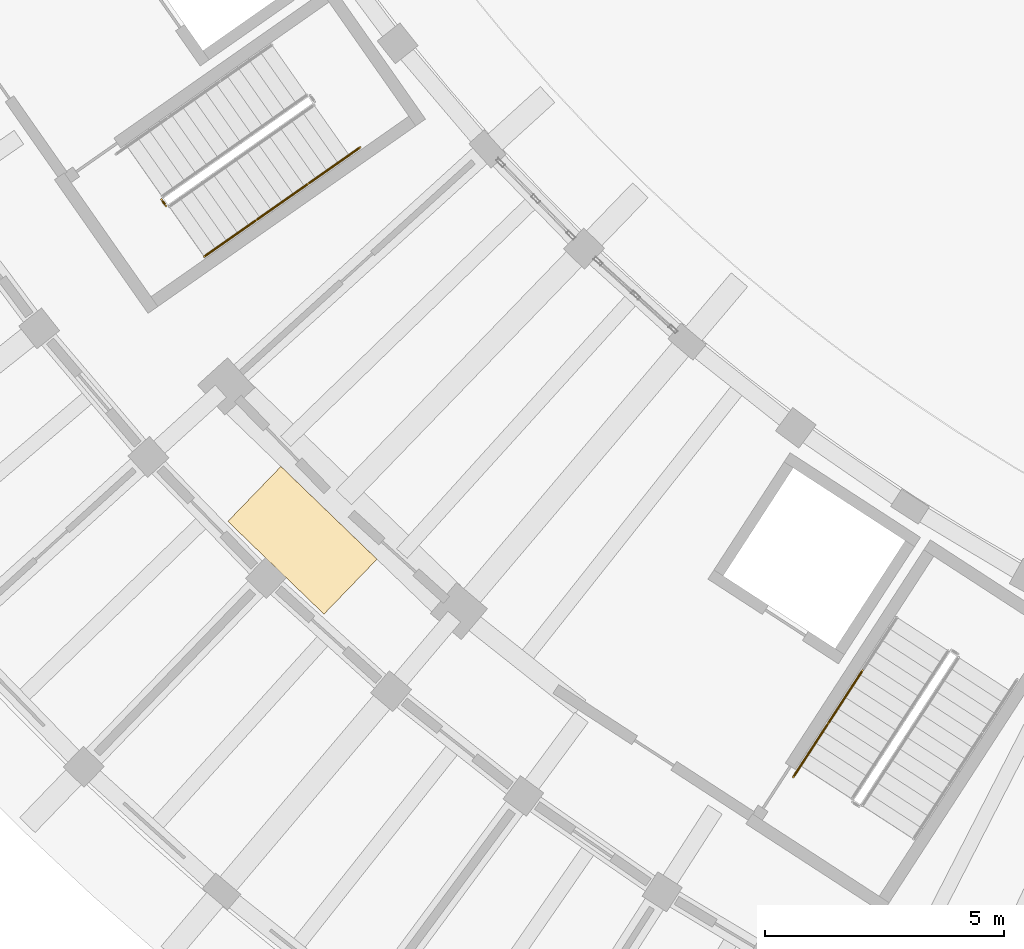
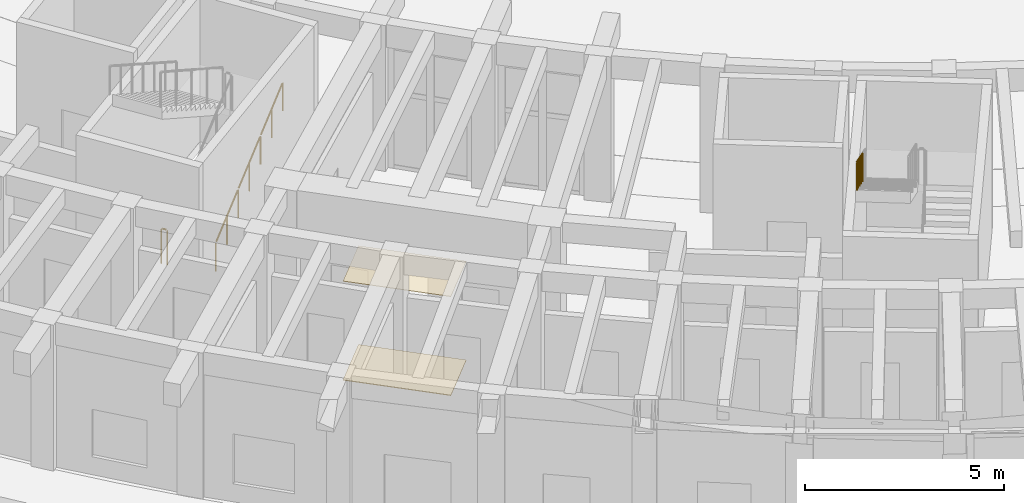
# One storey, part 111 of 132: 6 railings, 2 coverings.
"""IFC4 building model written with IfcOpenShell, lengths in metres."""

from ifc_helpers import new_model, si_unit, direction, frame, origin, origin_2d, place, context, subcontext, project, spatial, rectangle, circle, extrude, material, layer, layer_set, type_object, element, save


model = new_model("IFC4")

# Units and contexts
model_context = context("Model", 3, precision=1e-05, world=origin(), true_north=direction((0.0, 1.0)))
body_context = subcontext(model_context, "Body", "Model", "MODEL_VIEW")
ifc_project = project(units=[si_unit("LENGTHUNIT", "METRE"), si_unit("AREAUNIT", "SQUARE_METRE"), si_unit("VOLUMEUNIT", "CUBIC_METRE"), si_unit("PLANEANGLEUNIT", "RADIAN"), si_unit("MASSUNIT", "GRAM", prefix="KILO")], contexts=[model_context])

# Site, building, storey
site_placement = place(None, origin())
site = spatial("IfcSite", under=ifc_project, at=site_placement, CompositionType="ELEMENT")
building_placement = place(site_placement, origin())
building = spatial("IfcBuilding", under=site, at=building_placement, Name="Tanwirah Colonnade Gardens", CompositionType="ELEMENT")
storey_placement = place(building_placement, origin())
storey = spatial("IfcBuildingStorey", under=building, at=storey_placement, Name="L00", CompositionType="ELEMENT", Elevation=0.0)

# Coverings
ifc_material_1 = material(Name="Acoustic perforated gypsum ceiling board")
ifc_layer_1 = layer(ifc_material_1, 0.014892578125)
ifc_layer_set_1 = layer_set([ifc_layer_1], Name="Acoustic perforated gypsum ceiling board")
covering_type_1 = type_object("IfcCoveringType", Name="COV-CEIL15", PredefinedType="CEILING", material=ifc_layer_set_1)
covering_1_placement = place(storey_placement, frame((28.2177734375, 26.410888671875, 3.04248046875), z_axis=(0.0, 0.0, 1.0), x_axis=(0.719339800339, -0.694658370459, 0.0)))
element("IfcCovering", 1, at=covering_1_placement, inside=storey, type_object=covering_type_1, Name="Block C L00 Corridor Acoustic Ceiling", PredefinedType="CEILING", context=body_context, shape_type="SweptSolid", body=[
    extrude(rectangle(XDim=2.800048828125, YDim=1.60009765625, at=origin_2d()), origin(), (0.0, 0.0, 1.0), 0.014892578125),
])
ifc_material_2 = material(Name="Honed Abu Dhabi limestone terrazzo flooring", Category="masonry")
ifc_layer_2 = layer(ifc_material_2, 0.02001953125)
ifc_layer_set_2 = layer_set([ifc_layer_2], Name="Honed Abu Dhabi limestone terrazzo flooring")
covering_type_2 = type_object("IfcCoveringType", Name="COV-FLR20", PredefinedType="FLOORING", material=ifc_layer_set_2)
covering_2_placement = place(storey_placement, frame((28.2177734375, 26.410888671875, 0.0), z_axis=(0.0, 0.0, 1.0), x_axis=(0.719339800339, -0.694658370459, 0.0)))
element("IfcCovering", 2, at=covering_2_placement, inside=storey, type_object=covering_type_2, Name="Block C L00 Corridor Terrazzo Flooring", PredefinedType="FLOORING", context=body_context, shape_type="SweptSolid", body=[
    extrude(rectangle(XDim=2.800048828125, YDim=1.60009765625, at=origin_2d()), origin(), (0.0, 0.0, 1.0), 0.02001953125),
])

# Railings
ifc_material_3 = material(Name="Powder-coated galvanized steel", Category="steel")
railing_type_1 = type_object("IfcRailingType", Name="GRD-ST110", PredefinedType="GUARDRAIL", material=ifc_material_3)
railing_1_placement = place(storey_placement, frame((25.356689453125, 33.4208984375, 0.0)))
element("IfcRailing", 3, at=railing_1_placement, inside=storey, type_object=railing_type_1, Name="L00 ST-C1 stair guard 4", PredefinedType="GUARDRAIL", context=body_context, shape_type="SweptSolid", body=[
    extrude(circle(Radius=0.02392578125, at=origin_2d()), frame((-0.017822265625, 0.025634765625, 1.076171875), z_axis=(-0.57356471828, 0.819160249246, 0.0), x_axis=(-0.819160249246, -0.57356471828, 0.0)), (0.0, 0.0, 1.0), 0.097412109375),
    extrude(circle(Radius=0.02099609375, at=origin_2d()), origin(), (0.0, 0.0, 1.0), 1.049072265625),
    extrude(circle(Radius=0.02099609375, at=origin_2d()), frame((-0.091796875, 0.131103515625, 0.0)), (0.0, 0.0, 1.0), 1.049072265625),
])
ifc_material_4 = material(Name="Brushed bronze stainless steel", Category="steel")
railing_type_2 = type_object("IfcRailingType", Name="HR-ST090", PredefinedType="HANDRAIL", material=ifc_material_4)
railing_2_placement = place(storey_placement, frame((26.16064453125, 32.360107421875, 0.169921875)))
element("IfcRailing", 4, at=railing_2_placement, inside=storey, type_object=railing_type_2, Name="L00 ST-C1 stair handrail 1", PredefinedType="HANDRAIL", context=body_context, shape_type="SweptSolid", body=[
    extrude(circle(Radius=0.02392578125, at=origin_2d()), frame((0.02197265625, 0.015380859375, 0.891845703125), z_axis=(0.702053737774, 0.491689361395, 0.515133110146), x_axis=(-0.57365945101, 0.81909391053, 0.0)), (0.0, 0.0, 1.0), 1.4892578125),
    extrude(circle(Radius=0.02099609375, at=origin_2d()), origin(), (0.0, 0.0, 1.0), 0.848876953125),
    extrude(circle(Radius=0.02099609375, at=origin_2d()), frame((0.544677734375, 0.38134765625, 0.399658203125)), (0.0, 0.0, 1.0), 0.848876953125),
    extrude(circle(Radius=0.02099609375, at=origin_2d()), frame((1.08935546875, 0.762939453125, 0.79931640625)), (0.0, 0.0, 1.0), 0.848876953125),
])
railing_3_placement = place(storey_placement, frame((27.25, 33.123046875, 0.96923828125)))
element("IfcRailing", 5, at=railing_3_placement, inside=storey, type_object=railing_type_2, Name="L00 ST-C1 stair handrail 2", PredefinedType="HANDRAIL", context=body_context, shape_type="SweptSolid", body=[
    extrude(circle(Radius=0.02392578125, at=origin_2d()), frame((0.02197265625, 0.015380859375, 0.891845703125), z_axis=(0.702133515204, 0.491635051538, 0.515076210795), x_axis=(-0.573573204268, 0.819154307408, 0.0)), (0.0, 0.0, 1.0), 1.4892578125),
    extrude(circle(Radius=0.02099609375, at=origin_2d()), origin(), (0.0, 0.0, 1.0), 0.848876953125),
    extrude(circle(Radius=0.02099609375, at=origin_2d()), frame((0.544921875, 0.38134765625, 0.399658203125)), (0.0, 0.0, 1.0), 0.848876953125),
    extrude(circle(Radius=0.02099609375, at=origin_2d()), frame((1.089599609375, 0.762939453125, 0.79931640625)), (0.0, 0.0, 1.0), 0.848876953125),
])
railing_4_placement = place(storey_placement, frame((28.339599609375, 33.885986328125, 1.7685546875)))
element("IfcRailing", 6, at=railing_4_placement, inside=storey, type_object=railing_type_2, Name="L00 ST-C1 stair handrail 3", PredefinedType="HANDRAIL", context=body_context, shape_type="SweptSolid", body=[
    extrude(circle(Radius=0.02392578125, at=origin_2d()), frame((0.02197265625, 0.015380859375, 0.891845703125), z_axis=(0.702051130775, 0.49153019555, 0.515288537268), x_axis=(-0.573536271031, 0.819180166882, 0.0)), (0.0, 0.0, 1.0), 1.4892578125),
    extrude(circle(Radius=0.02099609375, at=origin_2d()), origin(), (0.0, 0.0, 1.0), 0.848876953125),
    extrude(circle(Radius=0.02099609375, at=origin_2d()), frame((0.544677734375, 0.38134765625, 0.39990234375)), (0.0, 0.0, 1.0), 0.848876953125),
    extrude(circle(Radius=0.02099609375, at=origin_2d()), frame((1.08935546875, 0.7626953125, 0.799560546875)), (0.0, 0.0, 1.0), 0.848876953125),
])
railing_5_placement = place(storey_placement, frame((39.95703125, 23.6787109375, 3.349365234375)))
element("IfcRailing", 7, at=railing_5_placement, inside=storey, type_object=railing_type_2, Name="L00 ST-C2 stair handrail 5", PredefinedType="HANDRAIL", context=body_context, shape_type="SweptSolid", body=[
    extrude(circle(Radius=0.02392578125, at=origin_2d()), frame((-0.0146484375, -0.0224609375, 0.891845703125), z_axis=(-0.466807700569, -0.718855538895, 0.51510900292), x_axis=(0.838682582155, -0.544620534308, 0.0)), (0.0, 0.0, 1.0), 1.4892578125),
    extrude(circle(Radius=0.02099609375, at=origin_2d()), origin(), (0.0, 0.0, 1.0), 0.848876953125),
    extrude(circle(Radius=0.02099609375, at=origin_2d()), frame((-0.3623046875, -0.5576171875, 0.399658203125)), (0.0, 0.0, 1.0), 0.848876953125),
    extrude(circle(Radius=0.02099609375, at=origin_2d()), frame((-0.724365234375, -1.115478515625, 0.79931640625)), (0.0, 0.0, 1.0), 0.848876953125),
])
railing_6_placement = place(storey_placement, frame((39.232666015625, 22.563232421875, 4.148681640625)))
element("IfcRailing", 8, at=railing_6_placement, inside=storey, type_object=railing_type_2, Name="L00 ST-C2 stair handrail 6", PredefinedType="HANDRAIL", context=body_context, shape_type="SweptSolid", body=[
    extrude(circle(Radius=0.02392578125, at=origin_2d()), frame((-0.0146484375, -0.0224609375, 0.891845703125), z_axis=(-0.466860499636, -0.718779495227, 0.515167265187), x_axis=(0.838628123767, -0.544704387744, 0.0)), (0.0, 0.0, 1.0), 1.489013671875),
    extrude(circle(Radius=0.02099609375, at=origin_2d()), origin(), (0.0, 0.0, 1.0), 0.848876953125),
    extrude(circle(Radius=0.02099609375, at=origin_2d()), frame((-0.3623046875, -0.5576171875, 0.399658203125)), (0.0, 0.0, 1.0), 0.848876953125),
    extrude(circle(Radius=0.02099609375, at=origin_2d()), frame((-0.724365234375, -1.115234375, 0.79931640625)), (0.0, 0.0, 1.0), 0.848876953125),
])

save(model, "model.ifc")
